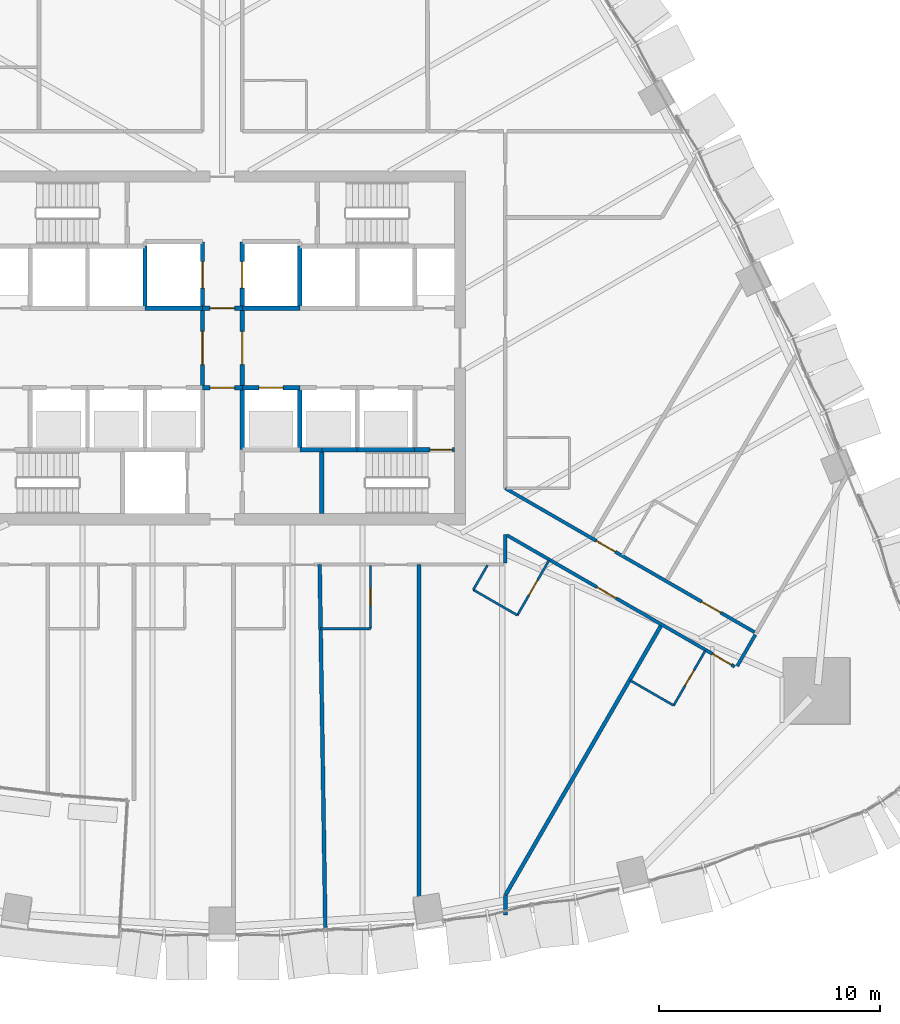
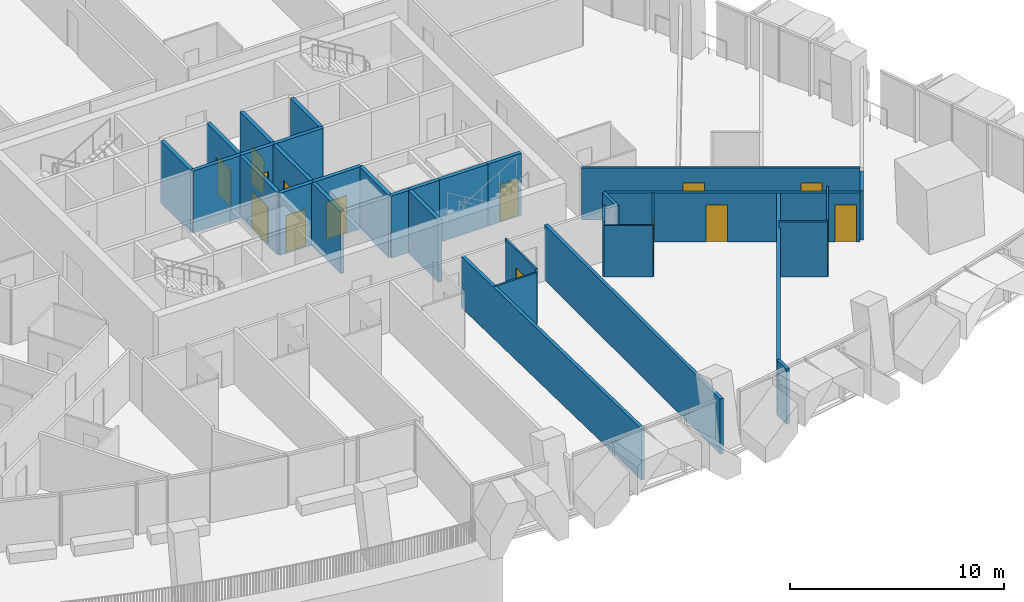
# One storey, part 16 of 24: 33 walls, 15 doors, 15 openings.
"""IFC4 building model written with IfcOpenShell, lengths in metres."""

from ifc_helpers import new_model, si_unit, direction, frame, frame_2d, origin, place, context, subcontext, project, spatial, rectangle, extrude, material, layer, layer_set, type_object, element, fill, save


model = new_model("IFC4")

# Units and contexts
model_context = context("Model", 3, precision=1e-05, world=origin(), true_north=direction((0.0, 1.0)))
body_context = subcontext(model_context, "Body", "Model", "MODEL_VIEW")
ifc_project = project(units=[si_unit("LENGTHUNIT", "METRE"), si_unit("AREAUNIT", "SQUARE_METRE"), si_unit("VOLUMEUNIT", "CUBIC_METRE"), si_unit("PLANEANGLEUNIT", "RADIAN"), si_unit("MASSUNIT", "GRAM", prefix="KILO")], contexts=[model_context])

# Site, building, storey
site_placement = place(None, origin())
site = spatial("IfcSite", under=ifc_project, at=site_placement, CompositionType="ELEMENT")
building_placement = place(site_placement, origin())
building = spatial("IfcBuilding", under=site, at=building_placement, Name="Sierra Prisma Convention Tower", CompositionType="ELEMENT")
storey_placement = place(building_placement, frame((0.0, 0.0, 59.10009765625)))
storey = spatial("IfcBuildingStorey", under=building, at=storey_placement, Name="L10", CompositionType="ELEMENT", Elevation=59.10009765625)

# Wall, opening, door
ifc_material_1 = material(Name="Gypsum board partition", Category="gypsum")
ifc_layer_1 = layer(ifc_material_1, 0.10009765625)
ifc_layer_set_1 = layer_set([ifc_layer_1], Name="Bathroom partition 100")
wall_type_1 = type_object("IfcWallType", Name="Bathroom partition 100", PredefinedType="PARTITIONING", material=ifc_layer_set_1)
wall_1_placement = place(storey_placement, frame((6.699951171875, -9.830078125, 0.0), z_axis=(0.0, 0.0, 1.0), x_axis=(0.0, -1.0, 0.0)))
wall_1 = element("IfcWall", 1, at=wall_1_placement, inside=storey, type_object=wall_type_1, Name="Partition L10 bath 25", PredefinedType="PARTITIONING", context=body_context, shape_type="SweptSolid", body=[
    extrude(rectangle(XDim=2.869873046875, YDim=0.10009765625, at=frame_2d((1.43505859375, 0.0))), origin(), (0.0, 0.0, 1.0), 3.14990234375),
])
opening_1_placement = place(wall_1_placement, frame((1.034912109375, 0.0, 0.0)))
opening_1 = element("IfcOpeningElement", 2, at=opening_1_placement, cuts=wall_1, Name="Opening L10-D016", PredefinedType="OPENING", context=body_context, shape_type="SweptSolid", body=[
    extrude(rectangle(XDim=0.800048828125, YDim=2.10009765625, at=frame_2d((0.39990234375, 1.050048828125))), frame((0.0, 0.050048828125, 0.0), z_axis=(0.0, -1.0, 0.0), x_axis=(1.0, 0.0, 0.0)), (0.0, 0.0, 1.0), 0.10009765625),
])
ifc_material_2 = material(Name="Solid core timber door leaf", Category="wood")
door_type_1 = type_object("IfcDoorType", Name="Door 800x2100 plain", OperationType="SINGLE_SWING_LEFT", PredefinedType="DOOR", material=ifc_material_2)
door_1_placement = place(opening_1_placement, origin())
door_1 = element("IfcDoor", 3, at=door_1_placement, inside=storey, type_object=door_type_1, Name="Door L10 29", OperationType="SINGLE_SWING_LEFT", OverallHeight=2.10009765625, OverallWidth=0.800048828125, PredefinedType="DOOR", context=body_context, shape_type="SweptSolid", body=[
    extrude(rectangle(XDim=0.800048828125, YDim=2.10009765625, at=frame_2d((0.39990234375, 1.050048828125))), frame((0.0, 0.02490234375, 0.0), z_axis=(0.0, -1.0, 0.0), x_axis=(1.0, 0.0, 0.0)), (0.0, 0.0, 1.0), 0.050048828125),
])
fill(opening_1, door_1)

# Wall
wall_2_placement = place(storey_placement, frame((6.699951171875, -12.699951171875, 0.0), z_axis=(0.0, 0.0, 1.0), x_axis=(-1.0, 0.0, 0.0)))
element("IfcWall", 4, at=wall_2_placement, inside=storey, type_object=wall_type_1, Name="Partition L10 bath 26", PredefinedType="PARTITIONING", context=body_context, shape_type="SweptSolid", body=[
    extrude(rectangle(XDim=2.27001953125, YDim=0.10009765625, at=frame_2d((1.135009765625, 0.0))), origin(), (0.0, 0.0, 1.0), 2.947021484375),
])

# Wall, opening, door
wall_3_placement = place(storey_placement, frame((14.77685546875, -9.605224609375, 0.0), z_axis=(0.0, 0.0, 1.0), x_axis=(-0.499999802827, -0.866025517622, 0.0)))
wall_3 = element("IfcWall", 5, at=wall_3_placement, inside=storey, type_object=wall_type_1, Name="Partition L10 bath 27", PredefinedType="PARTITIONING", context=body_context, shape_type="SweptSolid", body=[
    extrude(rectangle(XDim=2.8701171875, YDim=0.10009765625, at=frame_2d((1.43505859375, 0.0))), origin(), (0.0, 0.0, 1.0), 2.796875),
])
opening_2_placement = place(wall_3_placement, frame((1.034912109375, 0.0, 0.0)))
opening_2 = element("IfcOpeningElement", 6, at=opening_2_placement, cuts=wall_3, Name="Opening L10-D017", PredefinedType="OPENING", context=body_context, shape_type="SweptSolid", body=[
    extrude(rectangle(XDim=0.800048828125, YDim=2.10009765625, at=frame_2d((0.39990234375, 1.050048828125))), frame((0.0, 0.050048828125, 0.0), z_axis=(0.0, -1.0, 0.0), x_axis=(1.0, 0.0, 0.0)), (0.0, 0.0, 1.0), 0.10009765625),
])
door_2_placement = place(opening_2_placement, origin())
door_2 = element("IfcDoor", 7, at=door_2_placement, inside=storey, type_object=door_type_1, Name="Door L10 31", OperationType="SINGLE_SWING_LEFT", OverallHeight=2.10009765625, OverallWidth=0.800048828125, PredefinedType="DOOR", context=body_context, shape_type="SweptSolid", body=[
    extrude(rectangle(XDim=0.800048828125, YDim=2.10009765625, at=frame_2d((0.39990234375, 1.050048828125))), frame((0.0, 0.02490234375, 0.0), z_axis=(0.0, -1.0, 0.0), x_axis=(1.0, 0.0, 0.0)), (0.0, 0.0, 1.0), 0.050048828125),
])
fill(opening_2, door_2)

# Walls
wall_4_placement = place(storey_placement, frame((13.341796875, -12.0908203125, 0.0), z_axis=(0.0, 0.0, 1.0), x_axis=(-0.86602648383, 0.499998129301, 0.0)))
element("IfcWall", 8, at=wall_4_placement, inside=storey, type_object=wall_type_1, Name="Partition L10 bath 28", PredefinedType="PARTITIONING", context=body_context, shape_type="SweptSolid", body=[
    extrude(rectangle(XDim=2.2998046875, YDim=0.10009765625, at=frame_2d((1.14990234375, 0.0))), origin(), (0.0, 0.0, 1.0), 2.947021484375),
])
wall_5_placement = place(storey_placement, frame((11.35009765625, -10.94091796875, 0.0), z_axis=(0.0, 0.0, 1.0), x_axis=(0.499865263774, 0.866103179807, 0.0)))
element("IfcWall", 9, at=wall_5_placement, inside=storey, type_object=wall_type_1, Name="Partition L10 bath 29", PredefinedType="PARTITIONING", context=body_context, shape_type="SweptSolid", body=[
    extrude(rectangle(XDim=1.282470703125, YDim=0.10009765625, at=frame_2d((0.64111328125, 0.0))), origin(), (0.0, 0.0, 1.0), 3.14990234375),
])

# Wall, opening, door
wall_6_placement = place(storey_placement, frame((21.84716796875, -13.687255859375, 0.0), z_axis=(0.0, 0.0, 1.0), x_axis=(-0.499999802827, -0.866025517622, 0.0)))
wall_6 = element("IfcWall", 10, at=wall_6_placement, inside=storey, type_object=wall_type_1, Name="Partition L10 bath 35", PredefinedType="PARTITIONING", context=body_context, shape_type="SweptSolid", body=[
    extrude(rectangle(XDim=2.8701171875, YDim=0.10009765625, at=frame_2d((1.43505859375, 0.0))), origin(), (0.0, 0.0, 1.0), 3.14990234375),
])
opening_3_placement = place(wall_6_placement, frame((1.034912109375, 0.0, 0.0)))
opening_3 = element("IfcOpeningElement", 11, at=opening_3_placement, cuts=wall_6, Name="Opening L10-D018", PredefinedType="OPENING", context=body_context, shape_type="SweptSolid", body=[
    extrude(rectangle(XDim=0.800048828125, YDim=2.10009765625, at=frame_2d((0.39990234375, 1.050048828125))), frame((0.0, 0.050048828125, 0.0), z_axis=(0.0, -1.0, 0.0), x_axis=(1.0, 0.0, 0.0)), (0.0, 0.0, 1.0), 0.10009765625),
])
door_3_placement = place(opening_3_placement, origin())
door_3 = element("IfcDoor", 12, at=door_3_placement, inside=storey, type_object=door_type_1, Name="Door L10 33", OperationType="SINGLE_SWING_LEFT", OverallHeight=2.10009765625, OverallWidth=0.800048828125, PredefinedType="DOOR", context=body_context, shape_type="SweptSolid", body=[
    extrude(rectangle(XDim=0.800048828125, YDim=2.10009765625, at=frame_2d((0.39990234375, 1.050048828125))), frame((0.0, 0.02490234375, 0.0), z_axis=(0.0, -1.0, 0.0), x_axis=(1.0, 0.0, 0.0)), (0.0, 0.0, 1.0), 0.050048828125),
])
fill(opening_3, door_3)

# Walls
wall_7_placement = place(storey_placement, frame((20.412109375, -16.1728515625, 0.0), z_axis=(0.0, 0.0, 1.0), x_axis=(-0.866017224141, 0.500014167291, 0.0)))
element("IfcWall", 13, at=wall_7_placement, inside=storey, type_object=wall_type_1, Name="Partition L10 bath 36", PredefinedType="PARTITIONING", context=body_context, shape_type="SweptSolid", body=[
    extrude(rectangle(XDim=2.27001953125, YDim=0.10009765625, at=frame_2d((1.135009765625, 0.0))), origin(), (0.0, 0.0, 1.0), 3.14990234375),
])
ifc_material_3 = material(Name="Concrete C30/37", Category="concrete")
ifc_layer_2 = layer(ifc_material_3, 0.199951171875)
ifc_layer_set_2 = layer_set([ifc_layer_2], Name="Core wall RC 200 C30/37")
wall_type_2 = type_object("IfcWallType", Name="Core wall RC 200 C30/37", PredefinedType="SOLIDWALL", material=ifc_layer_set_2)
wall_8_placement = place(storey_placement, frame((-0.89990234375, 1.800048828125, 0.0), z_axis=(0.0, 0.0, 1.0), x_axis=(-1.0, 0.0, 0.0)))
element("IfcWall", 14, at=wall_8_placement, inside=storey, type_object=wall_type_2, Name="Core wall L10 24", PredefinedType="SOLIDWALL", context=body_context, shape_type="SweptSolid", body=[
    extrude(rectangle(XDim=2.60009765625, YDim=0.199951171875, at=frame_2d((1.300048828125, 0.0))), origin(), (0.0, 0.0, 1.0), 3.5498046875),
])
wall_9_placement = place(storey_placement, frame((-3.5, 4.60009765625, 0.0), z_axis=(0.0, 0.0, 1.0), x_axis=(0.0, -1.0, 0.0)))
element("IfcWall", 15, at=wall_9_placement, inside=storey, type_object=wall_type_2, Name="Core wall L10 25", PredefinedType="SOLIDWALL", context=body_context, shape_type="SweptSolid", body=[
    extrude(rectangle(XDim=2.800048828125, YDim=0.199951171875, at=frame_2d((1.39990234375, 0.0))), origin(), (0.0, 0.0, 1.0), 3.5498046875),
])

# Wall, opening, door
wall_10_placement = place(storey_placement, frame((-0.89990234375, 1.800048828125, 0.0), z_axis=(0.0, 0.0, 1.0), x_axis=(0.0, 1.0, 0.0)))
wall_10 = element("IfcWall", 16, at=wall_10_placement, inside=storey, type_object=wall_type_2, Name="Core wall L10 26", PredefinedType="SOLIDWALL", context=body_context, shape_type="SweptSolid", body=[
    extrude(rectangle(XDim=3.0, YDim=0.199951171875, at=frame_2d((1.5, 0.0))), origin(), (0.0, 0.0, 1.0), 3.5498046875),
])
opening_4_placement = place(wall_10_placement, frame((0.89990234375, 0.0, 0.0)))
opening_4 = element("IfcOpeningElement", 17, at=opening_4_placement, cuts=wall_10, Name="Opening L10-D026", PredefinedType="OPENING", context=body_context, shape_type="SweptSolid", body=[
    extrude(rectangle(XDim=1.199951171875, YDim=2.10009765625, at=frame_2d((0.60009765625, 1.050048828125))), frame((0.0, 0.10009765625, 0.0), z_axis=(0.0, -1.0, 0.0), x_axis=(1.0, 0.0, 0.0)), (0.0, 0.0, 1.0), 0.199951171875),
])
ifc_material_4 = material(Name="Steel fire door leaf", Category="steel")
door_type_2 = type_object("IfcDoorType", Name="Door 1200x2100 EI 90 sliding lift landing", OperationType="SLIDING_TO_LEFT", PredefinedType="DOOR", material=ifc_material_4)
door_4_placement = place(opening_4_placement, origin())
door_4 = element("IfcDoor", 18, at=door_4_placement, inside=storey, type_object=door_type_2, Name="Door L10 43", OperationType="SLIDING_TO_RIGHT", OverallHeight=2.10009765625, OverallWidth=1.199951171875, PredefinedType="DOOR", context=body_context, shape_type="SweptSolid", body=[
    extrude(rectangle(XDim=1.199951171875, YDim=2.10009765625, at=frame_2d((0.60009765625, 1.050048828125))), frame((0.0, 0.02490234375, 0.0), z_axis=(0.0, -1.0, 0.0), x_axis=(1.0, 0.0, 0.0)), (0.0, 0.0, 1.0), 0.050048828125),
])
fill(opening_4, door_4)

wall_11_placement = place(storey_placement, frame((-0.89990234375, -1.800048828125, 0.0), z_axis=(0.0, 0.0, 1.0), x_axis=(1.0, 0.0, 0.0)))
wall_11 = element("IfcWall", 19, at=wall_11_placement, inside=storey, type_object=wall_type_2, Name="Core wall L10 32", PredefinedType="SOLIDWALL", context=body_context, shape_type="SweptSolid", body=[
    extrude(rectangle(XDim=1.7998046875, YDim=0.199951171875, at=frame_2d((0.89990234375, 0.0))), origin(), (0.0, 0.0, 1.0), 3.5498046875),
])
opening_5_placement = place(wall_11_placement, frame((0.35009765625, 0.0, 0.0)))
opening_5 = element("IfcOpeningElement", 20, at=opening_5_placement, cuts=wall_11, Name="Opening L10-D034", PredefinedType="OPENING", context=body_context, shape_type="SweptSolid", body=[
    extrude(rectangle(XDim=1.10009765625, YDim=2.10009765625, at=frame_2d((0.550048828125, 1.050048828125))), frame((0.0, 0.10009765625, 0.0), z_axis=(0.0, -1.0, 0.0), x_axis=(1.0, 0.0, 0.0)), (0.0, 0.0, 1.0), 0.199951171875),
])
ifc_material_5 = material(Name="Steel fire door leaf", Category="steel")
door_type_3 = type_object("IfcDoorType", Name="Door 1100x2100 FD30S", OperationType="SINGLE_SWING_LEFT", PredefinedType="DOOR", material=ifc_material_5)
door_5_placement = place(opening_5_placement, origin())
door_5 = element("IfcDoor", 21, at=door_5_placement, inside=storey, type_object=door_type_3, Name="Door L10 51", OperationType="SINGLE_SWING_LEFT", OverallHeight=2.10009765625, OverallWidth=1.10009765625, PredefinedType="DOOR", context=body_context, shape_type="SweptSolid", body=[
    extrude(rectangle(XDim=1.10009765625, YDim=2.10009765625, at=frame_2d((0.550048828125, 1.050048828125))), frame((0.0, 0.02490234375, 0.0), z_axis=(0.0, -1.0, 0.0), x_axis=(1.0, 0.0, 0.0)), (0.0, 0.0, 1.0), 0.050048828125),
])
fill(opening_5, door_5)

wall_12_placement = place(storey_placement, frame((-0.89990234375, 1.800048828125, 0.0), z_axis=(0.0, 0.0, 1.0), x_axis=(0.0, -1.0, 0.0)))
wall_12 = element("IfcWall", 22, at=wall_12_placement, inside=storey, type_object=wall_type_2, Name="Core wall L10 33", PredefinedType="SOLIDWALL", context=body_context, shape_type="SweptSolid", body=[
    extrude(rectangle(XDim=3.60009765625, YDim=0.199951171875, at=frame_2d((1.800048828125, 0.0))), origin(), (0.0, 0.0, 1.0), 3.5498046875),
])
opening_6_placement = place(wall_12_placement, frame((1.050048828125, 0.0, 0.0)))
opening_6 = element("IfcOpeningElement", 23, at=opening_6_placement, cuts=wall_12, Name="Opening L10-D029", PredefinedType="OPENING", context=body_context, shape_type="SweptSolid", body=[
    extrude(rectangle(XDim=1.5, YDim=2.10009765625, at=frame_2d((0.75, 1.050048828125))), frame((0.0, 0.10009765625, 0.0), z_axis=(0.0, -1.0, 0.0), x_axis=(1.0, 0.0, 0.0)), (0.0, 0.0, 1.0), 0.199951171875),
])
ifc_material_6 = material(Name="Steel fire door leaf", Category="steel")
door_type_4 = type_object("IfcDoorType", Name="Door 1500x2100 FD30S", OperationType="DOUBLE_DOOR_SINGLE_SWING", PredefinedType="DOOR", material=ifc_material_6)
door_6_placement = place(opening_6_placement, origin())
door_6 = element("IfcDoor", 24, at=door_6_placement, inside=storey, type_object=door_type_4, Name="Door L10 46", OperationType="DOUBLE_DOOR_SINGLE_SWING", OverallHeight=2.10009765625, OverallWidth=1.5, PredefinedType="DOOR", context=body_context, shape_type="SweptSolid", body=[
    extrude(rectangle(XDim=1.5, YDim=2.10009765625, at=frame_2d((0.75, 1.050048828125))), frame((0.0, 0.02490234375, 0.0), z_axis=(0.0, -1.0, 0.0), x_axis=(1.0, 0.0, 0.0)), (0.0, 0.0, 1.0), 0.050048828125),
])
fill(opening_6, door_6)

wall_13_placement = place(storey_placement, frame((0.89990234375, 1.800048828125, 0.0), z_axis=(0.0, 0.0, 1.0), x_axis=(-1.0, 0.0, 0.0)))
wall_13 = element("IfcWall", 25, at=wall_13_placement, inside=storey, type_object=wall_type_2, Name="Core wall L10 34", PredefinedType="SOLIDWALL", context=body_context, shape_type="SweptSolid", body=[
    extrude(rectangle(XDim=1.7998046875, YDim=0.199951171875, at=frame_2d((0.89990234375, 0.0))), origin(), (0.0, 0.0, 1.0), 3.5498046875),
])
opening_7_placement = place(wall_13_placement, frame((0.35009765625, 0.0, 0.0)))
opening_7 = element("IfcOpeningElement", 26, at=opening_7_placement, cuts=wall_13, Name="Opening L10-D033", PredefinedType="OPENING", context=body_context, shape_type="SweptSolid", body=[
    extrude(rectangle(XDim=1.10009765625, YDim=2.10009765625, at=frame_2d((0.550048828125, 1.050048828125))), frame((0.0, 0.10009765625, 0.0), z_axis=(0.0, -1.0, 0.0), x_axis=(1.0, 0.0, 0.0)), (0.0, 0.0, 1.0), 0.199951171875),
])
ifc_material_7 = material(Name="Steel fire door leaf", Category="steel")
door_type_5 = type_object("IfcDoorType", Name="Door 1100x2100 FD60S", OperationType="SINGLE_SWING_LEFT", PredefinedType="DOOR", material=ifc_material_7)
door_7_placement = place(opening_7_placement, origin())
door_7 = element("IfcDoor", 27, at=door_7_placement, inside=storey, type_object=door_type_5, Name="Door L10 50", OperationType="SINGLE_SWING_RIGHT", OverallHeight=2.10009765625, OverallWidth=1.10009765625, PredefinedType="DOOR", context=body_context, shape_type="SweptSolid", body=[
    extrude(rectangle(XDim=1.10009765625, YDim=2.10009765625, at=frame_2d((0.550048828125, 1.050048828125))), frame((0.0, 0.02490234375, 0.0), z_axis=(0.0, -1.0, 0.0), x_axis=(1.0, 0.0, 0.0)), (0.0, 0.0, 1.0), 0.050048828125),
])
fill(opening_7, door_7)

# Wall
wall_14_placement = place(storey_placement, frame((0.89990234375, -1.800048828125, 0.0), z_axis=(0.0, 0.0, 1.0), x_axis=(0.0, -1.0, 0.0)))
element("IfcWall", 28, at=wall_14_placement, inside=storey, type_object=wall_type_2, Name="Core wall L10 37", PredefinedType="SOLIDWALL", context=body_context, shape_type="SweptSolid", body=[
    extrude(rectangle(XDim=2.800048828125, YDim=0.199951171875, at=frame_2d((1.39990234375, 0.0))), origin(), (0.0, 0.0, 1.0), 3.5498046875),
])

# Wall, opening, door
wall_15_placement = place(storey_placement, frame((0.89990234375, -1.800048828125, 0.0), z_axis=(0.0, 0.0, 1.0), x_axis=(1.0, 0.0, 0.0)))
wall_15 = element("IfcWall", 29, at=wall_15_placement, inside=storey, type_object=wall_type_2, Name="Core wall L10 38", PredefinedType="SOLIDWALL", context=body_context, shape_type="SweptSolid", body=[
    extrude(rectangle(XDim=2.60009765625, YDim=0.199951171875, at=frame_2d((1.300048828125, 0.0))), origin(), (0.0, 0.0, 1.0), 3.5498046875),
])
opening_8_placement = place(wall_15_placement, frame((0.75, 0.0, 0.0)))
opening_8 = element("IfcOpeningElement", 30, at=opening_8_placement, cuts=wall_15, Name="Opening L10-D023", PredefinedType="OPENING", context=body_context, shape_type="SweptSolid", body=[
    extrude(rectangle(XDim=1.10009765625, YDim=2.10009765625, at=frame_2d((0.550048828125, 1.050048828125))), frame((0.0, 0.10009765625, 0.0), z_axis=(0.0, -1.0, 0.0), x_axis=(1.0, 0.0, 0.0)), (0.0, 0.0, 1.0), 0.199951171875),
])
ifc_material_8 = material(Name="Steel fire door leaf", Category="steel")
door_type_6 = type_object("IfcDoorType", Name="Door 1100x2100 EI 90 sliding lift landing", OperationType="SLIDING_TO_LEFT", PredefinedType="DOOR", material=ifc_material_8)
door_8_placement = place(opening_8_placement, origin())
door_8 = element("IfcDoor", 31, at=door_8_placement, inside=storey, type_object=door_type_6, Name="Door L10 40", OperationType="SLIDING_TO_RIGHT", OverallHeight=2.10009765625, OverallWidth=1.10009765625, PredefinedType="DOOR", context=body_context, shape_type="SweptSolid", body=[
    extrude(rectangle(XDim=1.10009765625, YDim=2.10009765625, at=frame_2d((0.550048828125, 1.050048828125))), frame((0.0, 0.02490234375, 0.0), z_axis=(0.0, -1.0, 0.0), x_axis=(1.0, 0.0, 0.0)), (0.0, 0.0, 1.0), 0.050048828125),
])
fill(opening_8, door_8)

wall_16_placement = place(storey_placement, frame((0.89990234375, -1.800048828125, 0.0), z_axis=(0.0, 0.0, 1.0), x_axis=(0.0, 1.0, 0.0)))
wall_16 = element("IfcWall", 32, at=wall_16_placement, inside=storey, type_object=wall_type_2, Name="Core wall L10 39", PredefinedType="SOLIDWALL", context=body_context, shape_type="SweptSolid", body=[
    extrude(rectangle(XDim=3.60009765625, YDim=0.199951171875, at=frame_2d((1.800048828125, 0.0))), origin(), (0.0, 0.0, 1.0), 3.5498046875),
])
opening_9_placement = place(wall_16_placement, frame((1.050048828125, 0.0, 0.0)))
opening_9 = element("IfcOpeningElement", 33, at=opening_9_placement, cuts=wall_16, Name="Opening L10-D030", PredefinedType="OPENING", context=body_context, shape_type="SweptSolid", body=[
    extrude(rectangle(XDim=1.5, YDim=2.10009765625, at=frame_2d((0.75, 1.050048828125))), frame((0.0, 0.10009765625, 0.0), z_axis=(0.0, -1.0, 0.0), x_axis=(1.0, 0.0, 0.0)), (0.0, 0.0, 1.0), 0.199951171875),
])
door_9_placement = place(opening_9_placement, origin())
door_9 = element("IfcDoor", 34, at=door_9_placement, inside=storey, type_object=door_type_4, Name="Door L10 47", OperationType="DOUBLE_DOOR_SINGLE_SWING", OverallHeight=2.10009765625, OverallWidth=1.5, PredefinedType="DOOR", context=body_context, shape_type="SweptSolid", body=[
    extrude(rectangle(XDim=1.5, YDim=2.10009765625, at=frame_2d((0.75, 1.050048828125))), frame((0.0, 0.02490234375, 0.0), z_axis=(0.0, -1.0, 0.0), x_axis=(1.0, 0.0, 0.0)), (0.0, 0.0, 1.0), 0.050048828125),
])
fill(opening_9, door_9)

# Wall
wall_17_placement = place(storey_placement, frame((3.5, 1.800048828125, 0.0), z_axis=(0.0, 0.0, 1.0), x_axis=(-1.0, 0.0, 0.0)))
element("IfcWall", 35, at=wall_17_placement, inside=storey, type_object=wall_type_2, Name="Core wall L10 40", PredefinedType="SOLIDWALL", context=body_context, shape_type="SweptSolid", body=[
    extrude(rectangle(XDim=2.60009765625, YDim=0.199951171875, at=frame_2d((1.300048828125, 0.0))), origin(), (0.0, 0.0, 1.0), 3.5498046875),
])

# Wall, opening, door
wall_18_placement = place(storey_placement, frame((0.89990234375, 4.800048828125, 0.0), z_axis=(0.0, 0.0, 1.0), x_axis=(0.0, -1.0, 0.0)))
wall_18 = element("IfcWall", 36, at=wall_18_placement, inside=storey, type_object=wall_type_2, Name="Core wall L10 43", PredefinedType="SOLIDWALL", context=body_context, shape_type="SweptSolid", body=[
    extrude(rectangle(XDim=3.0, YDim=0.199951171875, at=frame_2d((1.5, 0.0))), origin(), (0.0, 0.0, 1.0), 3.5498046875),
])
opening_10_placement = place(wall_18_placement, frame((0.89990234375, 0.0, 0.0)))
opening_10 = element("IfcOpeningElement", 37, at=opening_10_placement, cuts=wall_18, Name="Opening L10-D027", PredefinedType="OPENING", context=body_context, shape_type="SweptSolid", body=[
    extrude(rectangle(XDim=1.199951171875, YDim=2.10009765625, at=frame_2d((0.60009765625, 1.050048828125))), frame((0.0, 0.10009765625, 0.0), z_axis=(0.0, -1.0, 0.0), x_axis=(1.0, 0.0, 0.0)), (0.0, 0.0, 1.0), 0.199951171875),
])
door_10_placement = place(opening_10_placement, origin())
door_10 = element("IfcDoor", 38, at=door_10_placement, inside=storey, type_object=door_type_2, Name="Door L10 44", OperationType="SLIDING_TO_LEFT", OverallHeight=2.10009765625, OverallWidth=1.199951171875, PredefinedType="DOOR", context=body_context, shape_type="SweptSolid", body=[
    extrude(rectangle(XDim=1.199951171875, YDim=2.10009765625, at=frame_2d((0.60009765625, 1.050048828125))), frame((0.0, 0.02490234375, 0.0), z_axis=(0.0, -1.0, 0.0), x_axis=(1.0, 0.0, 0.0)), (0.0, 0.0, 1.0), 0.050048828125),
])
fill(opening_10, door_10)

# Walls
wall_19_placement = place(storey_placement, frame((4.5, -4.60009765625, 0.0), z_axis=(0.0, 0.0, 1.0), x_axis=(-1.0, 0.0, 0.0)))
element("IfcWall", 39, at=wall_19_placement, inside=storey, type_object=wall_type_2, Name="Core wall L10 44", PredefinedType="SOLIDWALL", context=body_context, shape_type="SweptSolid", body=[
    extrude(rectangle(XDim=1.0, YDim=0.199951171875, at=frame_2d((0.5, 0.0))), origin(), (0.0, 0.0, 1.0), 3.5498046875),
])
for number, where, z_axis, x_axis, name in (
    (40, (3.5, -4.60009765625, 0.0), (0.0, 0.0, 1.0), (0.0, 1.0, 0.0), "Core wall L10 45"),
    (41, (3.5, 1.800048828125, 0.0), (0.0, 0.0, 1.0), (0.0, 1.0, 0.0), "Core wall L10 48"),
):
    element("IfcWall", number, at=place(storey_placement, frame(where, z_axis=z_axis, x_axis=x_axis)), inside=storey, type_object=wall_type_2, Name=name, PredefinedType="SOLIDWALL", context=body_context, shape_type="SweptSolid", body=[
        extrude(rectangle(XDim=2.800048828125, YDim=0.199951171875, at=frame_2d((1.39990234375, 0.0))), origin(), (0.0, 0.0, 1.0), 3.5498046875),
    ])
wall_20_placement = place(storey_placement, frame((4.5, -7.5, 0.0), z_axis=(0.0, 0.0, 1.0), x_axis=(0.0, 1.0, 0.0)))
element("IfcWall", 42, at=wall_20_placement, inside=storey, type_object=wall_type_2, Name="Core wall L10 52", PredefinedType="SOLIDWALL", context=body_context, shape_type="SweptSolid", body=[
    extrude(rectangle(XDim=2.89990234375, YDim=0.199951171875, at=frame_2d((1.449951171875, 0.0))), origin(), (0.0, 0.0, 1.0), 3.5498046875),
])
wall_21_placement = place(storey_placement, frame((4.5, -4.60009765625, 0.0), z_axis=(0.0, 0.0, 1.0), x_axis=(1.0, 0.0, 0.0)))
element("IfcWall", 43, at=wall_21_placement, inside=storey, type_object=wall_type_2, Name="Core wall L10 53", PredefinedType="SOLIDWALL", context=body_context, shape_type="SweptSolid", body=[
    extrude(rectangle(XDim=1.60009765625, YDim=0.199951171875, at=frame_2d((0.800048828125, 0.0))), origin(), (0.0, 0.0, 1.0), 3.5498046875),
])
wall_22_placement = place(storey_placement, frame((6.10009765625, -4.60009765625, 0.0), z_axis=(0.0, 0.0, 1.0), x_axis=(1.0, 0.0, 0.0)))
element("IfcWall", 44, at=wall_22_placement, inside=storey, type_object=wall_type_2, Name="Core wall L10 54", PredefinedType="SOLIDWALL", context=body_context, shape_type="SweptSolid", body=[
    extrude(rectangle(XDim=2.599853515625, YDim=0.199951171875, at=frame_2d((1.2998046875, 0.0))), origin(), (0.0, 0.0, 1.0), 3.5498046875),
])

# Wall, opening, door
wall_23_placement = place(storey_placement, frame((8.699951171875, -4.60009765625, 0.0), z_axis=(0.0, 0.0, 1.0), x_axis=(1.0, 0.0, 0.0)))
wall_23 = element("IfcWall", 45, at=wall_23_placement, inside=storey, type_object=wall_type_2, Name="Core wall L10 60", PredefinedType="SOLIDWALL", context=body_context, shape_type="SweptSolid", body=[
    extrude(rectangle(XDim=1.800048828125, YDim=0.199951171875, at=frame_2d((0.89990234375, 0.0))), origin(), (0.0, 0.0, 1.0), 3.5498046875),
])
opening_11_placement = place(wall_23_placement, frame((0.699951171875, 0.0, 0.0)))
opening_11 = element("IfcOpeningElement", 46, at=opening_11_placement, cuts=wall_23, Name="Opening L10-D038", PredefinedType="OPENING", context=body_context, shape_type="SweptSolid", body=[
    extrude(rectangle(XDim=1.0, YDim=2.10009765625, at=frame_2d((0.5, 1.050048828125))), frame((0.0, 0.10009765625, 0.0), z_axis=(0.0, -1.0, 0.0), x_axis=(1.0, 0.0, 0.0)), (0.0, 0.0, 1.0), 0.199951171875),
])
ifc_material_9 = material(Name="Steel fire door leaf", Category="steel")
door_type_7 = type_object("IfcDoorType", Name="Door 1000x2100 FD90S", OperationType="SINGLE_SWING_LEFT", PredefinedType="DOOR", material=ifc_material_9)
door_11_placement = place(opening_11_placement, origin())
door_11 = element("IfcDoor", 47, at=door_11_placement, inside=storey, type_object=door_type_7, Name="Door L10 55", OperationType="SINGLE_SWING_RIGHT", OverallHeight=2.10009765625, OverallWidth=1.0, PredefinedType="DOOR", context=body_context, shape_type="SweptSolid", body=[
    extrude(rectangle(XDim=1.0, YDim=2.10009765625, at=frame_2d((0.5, 1.050048828125))), frame((0.0, 0.02490234375, 0.0), z_axis=(0.0, -1.0, 0.0), x_axis=(1.0, 0.0, 0.0)), (0.0, 0.0, 1.0), 0.050048828125),
])
fill(opening_11, door_11)

# Wall
ifc_material_10 = material(Name="Gypsum board partition", Category="gypsum")
ifc_layer_3 = layer(ifc_material_10, 0.14990234375)
ifc_layer_set_3 = layer_set([ifc_layer_3], Name="Corridor wall 150 gypsum EI 60")
wall_type_3 = type_object("IfcWallType", Name="Corridor wall 150 gypsum EI 60", PredefinedType="PARTITIONING", material=ifc_layer_set_3)
wall_24_placement = place(storey_placement, frame((12.800048828125, -9.719970703125, 0.0), z_axis=(0.0, 0.0, 1.0), x_axis=(0.0, 1.0, 0.0)))
element("IfcWall", 48, at=wall_24_placement, inside=storey, type_object=wall_type_3, Name="Partition L10 corr 14", PredefinedType="PARTITIONING", context=body_context, shape_type="SweptSolid", body=[
    extrude(rectangle(XDim=1.290771484375, YDim=0.14990234375, at=frame_2d((0.6455078125, 0.0))), origin(), (0.0, 0.0, 1.0), 2.796875),
])

# Wall, openings, doors
wall_25_placement = place(storey_placement, frame((12.87939453125, -8.47509765625, 0.0), z_axis=(0.0, 0.0, 1.0), x_axis=(0.866021146684, -0.500007373442, 0.0)))
wall_25 = element("IfcWall", 49, at=wall_25_placement, inside=storey, type_object=wall_type_3, Name="Partition L10 corr 15", PredefinedType="PARTITIONING", context=body_context, shape_type="SweptSolid", body=[
    extrude(rectangle(XDim=11.892333984375, YDim=0.14990234375, at=frame_2d((5.9462890625, 0.0))), origin(), (0.0, 0.0, 1.0), 2.796875),
])
opening_12_placement = place(wall_25_placement, frame((4.6904296875, 0.0, 0.0)))
opening_12 = element("IfcOpeningElement", 50, at=opening_12_placement, cuts=wall_25, Name="Opening L10-D058", PredefinedType="OPENING", context=body_context, shape_type="SweptSolid", body=[
    extrude(rectangle(XDim=1.0, YDim=2.10009765625, at=frame_2d((0.5, 1.050048828125))), frame((0.0, 0.074951171875, 0.0), z_axis=(0.0, -1.0, 0.0), x_axis=(1.0, 0.0, 0.0)), (0.0, 0.0, 1.0), 0.14990234375),
])
opening_13_placement = place(wall_25_placement, frame((10.72265625, 0.0, 0.0)))
opening_13 = element("IfcOpeningElement", 51, at=opening_13_placement, cuts=wall_25, Name="Opening L10-D059", PredefinedType="OPENING", context=body_context, shape_type="SweptSolid", body=[
    extrude(rectangle(XDim=1.0, YDim=2.10009765625, at=frame_2d((0.5, 1.050048828125))), frame((0.0, 0.074951171875, 0.0), z_axis=(0.0, -1.0, 0.0), x_axis=(1.0, 0.0, 0.0)), (0.0, 0.0, 1.0), 0.14990234375),
])
ifc_material_11 = material(Name="Steel fire door leaf", Category="steel")
door_type_8 = type_object("IfcDoorType", Name="Door 1000x2100 FD30S", OperationType="SINGLE_SWING_LEFT", PredefinedType="DOOR", material=ifc_material_11)
door_12_placement = place(opening_12_placement, origin())
door_12 = element("IfcDoor", 52, at=door_12_placement, inside=storey, type_object=door_type_8, Name="Door L10 30", OperationType="SINGLE_SWING_LEFT", OverallHeight=2.10009765625, OverallWidth=1.0, PredefinedType="DOOR", context=body_context, shape_type="SweptSolid", body=[
    extrude(rectangle(XDim=1.0, YDim=2.10009765625, at=frame_2d((0.5, 1.050048828125))), frame((0.0, 0.02490234375, 0.0), z_axis=(0.0, -1.0, 0.0), x_axis=(1.0, 0.0, 0.0)), (0.0, 0.0, 1.0), 0.050048828125),
])
fill(opening_12, door_12)
door_13_placement = place(opening_13_placement, origin())
door_13 = element("IfcDoor", 53, at=door_13_placement, inside=storey, type_object=door_type_8, Name="Door L10 32", OperationType="SINGLE_SWING_LEFT", OverallHeight=2.10009765625, OverallWidth=1.0, PredefinedType="DOOR", context=body_context, shape_type="SweptSolid", body=[
    extrude(rectangle(XDim=1.0, YDim=2.10009765625, at=frame_2d((0.5, 1.050048828125))), frame((0.0, 0.02490234375, 0.0), z_axis=(0.0, -1.0, 0.0), x_axis=(1.0, 0.0, 0.0)), (0.0, 0.0, 1.0), 0.050048828125),
])
fill(opening_13, door_13)

wall_26_placement = place(storey_placement, frame((24.07861328125, -12.862548828125, 0.0), z_axis=(0.0, 0.0, 1.0), x_axis=(-0.866024189303, 0.500002103537, 0.0)))
wall_26 = element("IfcWall", 54, at=wall_26_placement, inside=storey, type_object=wall_type_3, Name="Partition L10 corr 16", PredefinedType="PARTITIONING", context=body_context, shape_type="SweptSolid", body=[
    extrude(rectangle(XDim=13.0234375, YDim=0.14990234375, at=frame_2d((6.51171875, 0.0))), origin(), (0.0, 0.0, 1.0), 2.947021484375),
])
opening_14_placement = place(wall_26_placement, frame((1.771484375, 0.0, 0.0)))
opening_14 = element("IfcOpeningElement", 55, at=opening_14_placement, cuts=wall_26, Name="Opening L10-D060", PredefinedType="OPENING", context=body_context, shape_type="SweptSolid", body=[
    extrude(rectangle(XDim=1.0, YDim=2.10009765625, at=frame_2d((0.5, 1.050048828125))), frame((0.0, 0.074951171875, 0.0), z_axis=(0.0, -1.0, 0.0), x_axis=(1.0, 0.0, 0.0)), (0.0, 0.0, 1.0), 0.14990234375),
])
opening_15_placement = place(wall_26_placement, frame((7.273193359375, 0.0, 0.0)))
opening_15 = element("IfcOpeningElement", 56, at=opening_15_placement, cuts=wall_26, Name="Opening L10-D061", PredefinedType="OPENING", context=body_context, shape_type="SweptSolid", body=[
    extrude(rectangle(XDim=1.0, YDim=2.10009765625, at=frame_2d((0.5, 1.050048828125))), frame((0.0, 0.074951171875, 0.0), z_axis=(0.0, -1.0, 0.0), x_axis=(1.0, 0.0, 0.0)), (0.0, 0.0, 1.0), 0.14990234375),
])
door_14_placement = place(opening_14_placement, origin())
door_14 = element("IfcDoor", 57, at=door_14_placement, inside=storey, type_object=door_type_8, Name="Door L10 34", OperationType="SINGLE_SWING_RIGHT", OverallHeight=2.10009765625, OverallWidth=1.0, PredefinedType="DOOR", context=body_context, shape_type="SweptSolid", body=[
    extrude(rectangle(XDim=1.0, YDim=2.10009765625, at=frame_2d((0.5, 1.050048828125))), frame((0.0, 0.02490234375, 0.0), z_axis=(0.0, -1.0, 0.0), x_axis=(1.0, 0.0, 0.0)), (0.0, 0.0, 1.0), 0.050048828125),
])
fill(opening_14, door_14)
door_15_placement = place(opening_15_placement, origin())
door_15 = element("IfcDoor", 58, at=door_15_placement, inside=storey, type_object=door_type_8, Name="Door L10 35", OperationType="SINGLE_SWING_LEFT", OverallHeight=2.10009765625, OverallWidth=1.0, PredefinedType="DOOR", context=body_context, shape_type="SweptSolid", body=[
    extrude(rectangle(XDim=1.0, YDim=2.10009765625, at=frame_2d((0.5, 1.050048828125))), frame((0.0, 0.02490234375, 0.0), z_axis=(0.0, -1.0, 0.0), x_axis=(1.0, 0.0, 0.0)), (0.0, 0.0, 1.0), 0.050048828125),
])
fill(opening_15, door_15)

# Walls
wall_27_placement = place(storey_placement, frame((23.287841796875, -14.39208984375, 0.0), z_axis=(0.0, 0.0, 1.0), x_axis=(0.499997335587, 0.866026942079, 0.0)))
element("IfcWall", 59, at=wall_27_placement, inside=storey, type_object=wall_type_3, Name="Partition L10 corr 18", PredefinedType="PARTITIONING", context=body_context, shape_type="SweptSolid", body=[
    extrude(rectangle(XDim=1.64013671875, YDim=0.14990234375, at=frame_2d((0.820068359375, 0.0))), origin(), (0.0, 0.0, 1.0), 2.796875),
])
ifc_material_12 = material(Name="Acoustic gypsum board partition", Category="gypsum")
ifc_layer_4 = layer(ifc_material_12, 0.175048828125)
ifc_layer_set_4 = layer_set([ifc_layer_4], Name="Guest room party wall 175 acoustic EI 60")
wall_type_4 = type_object("IfcWallType", Name="Guest room party wall 175 acoustic EI 60", PredefinedType="PARTITIONING", material=ifc_layer_set_4)
wall_28_placement = place(storey_placement, frame((4.39990234375, -9.800048828125, 0.0), z_axis=(0.0, 0.0, 1.0), x_axis=(0.015658866924, -0.999877392427, 0.0)))
element("IfcWall", 60, at=wall_28_placement, inside=storey, type_object=wall_type_4, Name="Partition L10 hparty 15", PredefinedType="PARTITIONING", context=body_context, shape_type="SweptSolid", body=[
    extrude(rectangle(XDim=16.41748046875, YDim=0.175048828125, at=frame_2d((8.208740234375, 0.0))), origin(), (0.0, 0.0, 1.0), 2.933837890625),
])
wall_29_placement = place(storey_placement, frame((8.89990234375, -9.800048828125, 0.0), z_axis=(0.0, 0.0, 1.0), x_axis=(0.0, -1.0, 0.0)))
element("IfcWall", 61, at=wall_29_placement, inside=storey, type_object=wall_type_4, Name="Partition L10 hparty 16", PredefinedType="PARTITIONING", context=body_context, shape_type="SweptSolid", body=[
    extrude(rectangle(XDim=16.4091796875, YDim=0.175048828125, at=frame_2d((8.20458984375, 0.0))), origin(), (0.0, 0.0, 1.0), 3.14990234375),
])
wall_30_placement = place(storey_placement, frame((19.870361328125, -12.511474609375, 0.0), z_axis=(0.0, 0.0, 1.0), x_axis=(-0.500001430823, -0.866024577697, 0.0)))
element("IfcWall", 62, at=wall_30_placement, inside=storey, type_object=wall_type_4, Name="Partition L10 hparty 18", PredefinedType="PARTITIONING", context=body_context, shape_type="SweptSolid", body=[
    extrude(rectangle(XDim=14.140625, YDim=0.175048828125, at=frame_2d((7.0703125, 0.0))), origin(), (0.0, 0.0, 1.0), 2.796875),
])
wall_31_placement = place(storey_placement, frame((12.800048828125, -24.757568359375, 0.0), z_axis=(0.0, 0.0, 1.0), x_axis=(0.0, -1.0, 0.0)))
element("IfcWall", 63, at=wall_31_placement, inside=storey, type_object=wall_type_4, Name="Partition L10 hparty 19", PredefinedType="PARTITIONING", context=body_context, shape_type="SweptSolid", body=[
    extrude(rectangle(XDim=0.903564453125, YDim=0.175048828125, at=frame_2d((0.45166015625, 0.0))), origin(), (0.0, 0.0, 1.0), 3.14990234375),
])

save(model, "model.ifc")
